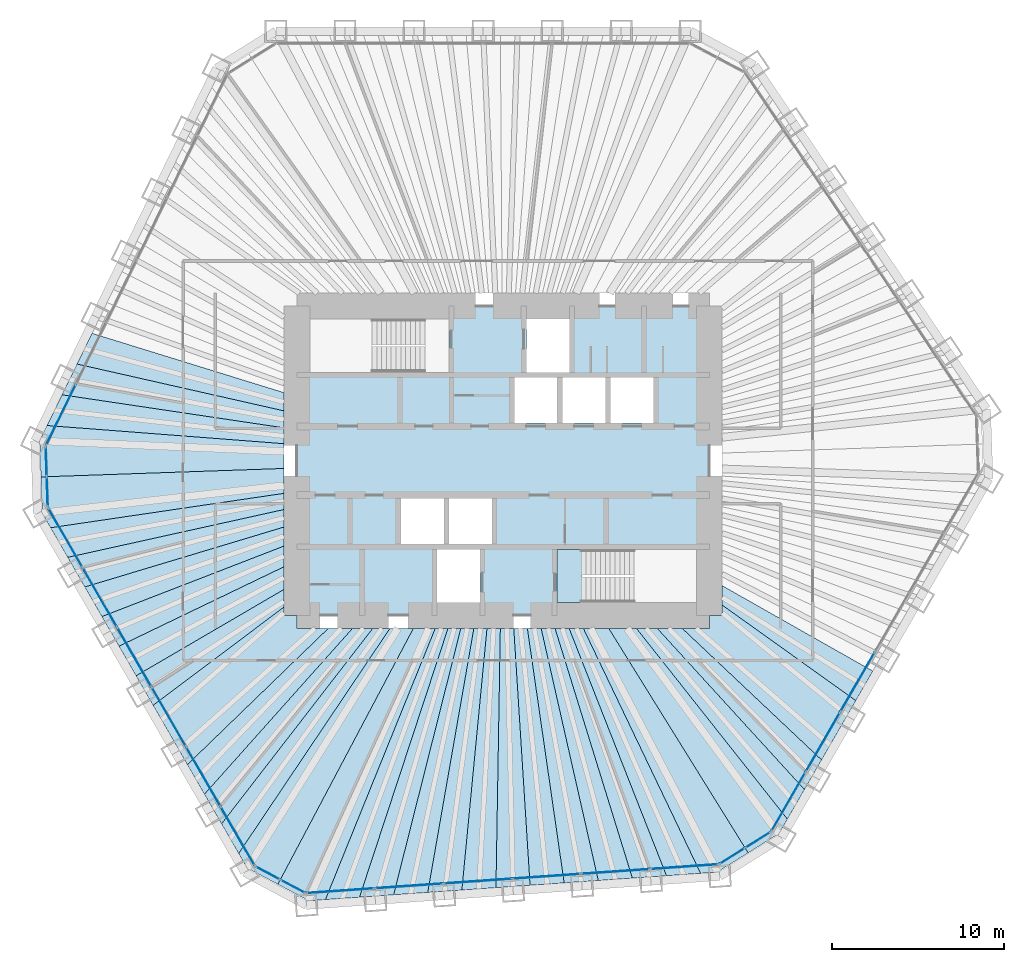
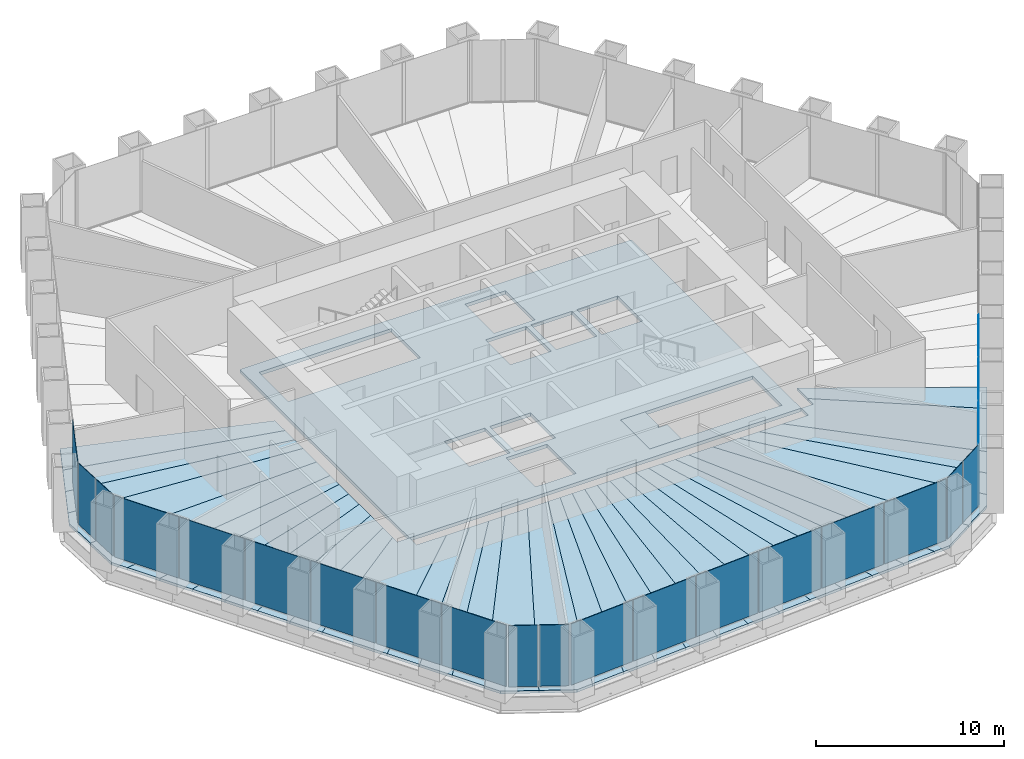
# One storey, part 8 of 13: 36 slabs, 22 plates, 8 elements without a shape of their own.
"""IFC4 building model written with IfcOpenShell, lengths in metres."""

from ifc_helpers import new_model, si_unit, direction, frame, origin, origin_2d, place, context, subcontext, project, spatial, polyline, rectangle, outline, extrude, material, layer, layer_set, type_object, element, aggregate, save


model = new_model("IFC4")

# Units and contexts
model_context = context("Model", 3, precision=1e-05, world=origin(), true_north=direction((0.0, 1.0)))
body_context = subcontext(model_context, "Body", "Model", "MODEL_VIEW")
ifc_project = project(units=[si_unit("LENGTHUNIT", "METRE"), si_unit("AREAUNIT", "SQUARE_METRE"), si_unit("VOLUMEUNIT", "CUBIC_METRE"), si_unit("PLANEANGLEUNIT", "RADIAN"), si_unit("MASSUNIT", "GRAM", prefix="KILO")], contexts=[model_context])

# Site, building, storey
site_placement = place(None, origin())
site = spatial("IfcSite", under=ifc_project, at=site_placement, CompositionType="ELEMENT")
building_placement = place(site_placement, origin())
building = spatial("IfcBuilding", under=site, at=building_placement, Name="Qingtian Harvest Tower", CompositionType="ELEMENT")
storey_placement = place(building_placement, frame((0.0, 0.0, 157.60009765625)))
storey = spatial("IfcBuildingStorey", under=building, at=storey_placement, Name="L33", CompositionType="ELEMENT", Elevation=157.60009765625)

# Slabs
ifc_material_1 = material(Name="Concrete fc' 35 MPa", Category="concrete")
ifc_layer_1 = layer(ifc_material_1, 0.169921875)
ifc_layer_set_1 = layer_set([ifc_layer_1], Name="Composite floor slab FS17 170")
slab_type_1 = type_object("IfcSlabType", Name="Composite floor slab FS17 170", PredefinedType="FLOOR", material=ifc_layer_set_1)
slab_1_placement = place(storey_placement, frame((0.0, 0.0, -0.170166015625)))
element("IfcSlab", 1, at=slab_1_placement, inside=storey, type_object=slab_type_1, Name="Floor slab L33 panel D01", PredefinedType="FLOOR", context=body_context, shape_type="SweptSolid", body=[
    extrude(outline(polyline([(-26.8935546875, -0.939208984375), (-12.75, -0.447998046875), (-12.75, -1.89599609375), (-26.333984375, -3.8984375), (-26.819580078125, -3.056884765625), (-26.8935546875, -0.939208984375)])), origin(), (0.0, 0.0, 1.0), 0.170166015625),
])
slab_2_placement = place(storey_placement, frame((0.0, 0.0, -0.170166015625)))
element("IfcSlab", 2, at=slab_2_placement, inside=storey, type_object=slab_type_1, Name="Floor slab L33 panel D02", PredefinedType="FLOOR", context=body_context, shape_type="SweptSolid", body=[
    extrude(outline(polyline([(-12.75, -2.838134765625), (-25.3388671875, -5.62158203125), (-26.333984375, -3.8984375), (-12.75, -1.89599609375), (-12.75, -2.838134765625)])), origin(), (0.0, 0.0, 1.0), 0.170166015625),
])
slab_3_placement = place(storey_placement, frame((0.0, 0.0, -0.170166015625)))
element("IfcSlab", 3, at=slab_3_placement, inside=storey, type_object=slab_type_1, Name="Floor slab L33 panel D03", PredefinedType="FLOOR", context=body_context, shape_type="SweptSolid", body=[
    extrude(outline(polyline([(-12.75, -3.857666015625), (-24.343994140625, -7.344970703125), (-25.3388671875, -5.62158203125), (-12.75, -2.838134765625), (-12.75, -3.857666015625)])), origin(), (0.0, 0.0, 1.0), 0.170166015625),
])
slab_4_placement = place(storey_placement, frame((0.0, 0.0, -0.170166015625)))
element("IfcSlab", 4, at=slab_4_placement, inside=storey, type_object=slab_type_1, Name="Floor slab L33 panel D04", PredefinedType="FLOOR", context=body_context, shape_type="SweptSolid", body=[
    extrude(outline(polyline([(-12.75, -4.9638671875), (-23.34912109375, -9.068115234375), (-24.343994140625, -7.344970703125), (-12.75, -3.857666015625), (-12.75, -4.9638671875)])), origin(), (0.0, 0.0, 1.0), 0.170166015625),
])
slab_5_placement = place(storey_placement, frame((0.0, 0.0, -0.170166015625)))
element("IfcSlab", 5, at=slab_5_placement, inside=storey, type_object=slab_type_1, Name="Floor slab L33 panel D05", PredefinedType="FLOOR", context=body_context, shape_type="SweptSolid", body=[
    extrude(outline(polyline([(-12.75, -6.1689453125), (-22.354248046875, -10.79150390625), (-23.34912109375, -9.068115234375), (-12.75, -4.9638671875), (-12.75, -6.1689453125)])), origin(), (0.0, 0.0, 1.0), 0.170166015625),
])
slab_6_placement = place(storey_placement, frame((0.0, 0.0, -0.170166015625)))
element("IfcSlab", 6, at=slab_6_placement, inside=storey, type_object=slab_type_1, Name="Floor slab L33 panel D06", PredefinedType="FLOOR", context=body_context, shape_type="SweptSolid", body=[
    extrude(outline(polyline([(-12.75, -7.486328125), (-21.359130859375, -12.5146484375), (-22.354248046875, -10.79150390625), (-12.75, -6.1689453125), (-12.75, -7.486328125)])), origin(), (0.0, 0.0, 1.0), 0.170166015625),
])
slab_7_placement = place(storey_placement, frame((0.0, 0.0, -0.170166015625)))
element("IfcSlab", 7, at=slab_7_placement, inside=storey, type_object=slab_type_1, Name="Floor slab L33 panel D07", PredefinedType="FLOOR", context=body_context, shape_type="SweptSolid", body=[
    extrude(outline(polyline([(-12.75, -8.512451171875), (-20.36865234375, -14.23046875), (-21.359130859375, -12.5146484375), (-12.75, -7.486328125), (-12.75, -8.512451171875)])), origin(), (0.0, 0.0, 1.0), 0.170166015625),
])
slab_8_placement = place(storey_placement, frame((0.0, 0.0, -0.170166015625)))
element("IfcSlab", 8, at=slab_8_placement, inside=storey, type_object=slab_type_1, Name="Floor slab L33 panel D09", PredefinedType="FLOOR", context=body_context, shape_type="SweptSolid", body=[
    extrude(outline(polyline([(-18.375, -17.683837890625), (-20.36865234375, -14.23046875), (-12.75, -8.512451171875), (-12.75, -9.0), (-12.0, -9.0), (-12.0, -9.75), (-10.168212890625, -9.75), (-18.375, -17.683837890625)])), origin(), (0.0, 0.0, 1.0), 0.170166015625),
])
slab_9_placement = place(storey_placement, frame((0.0, 0.0, -0.170166015625)))
element("IfcSlab", 9, at=slab_9_placement, inside=storey, type_object=slab_type_1, Name="Floor slab L33 panel D10", PredefinedType="FLOOR", context=body_context, shape_type="SweptSolid", body=[
    extrude(outline(polyline([(-8.759521484375, -9.75), (-17.3798828125, -19.4072265625), (-18.375, -17.683837890625), (-10.168212890625, -9.75), (-8.759521484375, -9.75)])), origin(), (0.0, 0.0, 1.0), 0.170166015625),
])
slab_10_placement = place(storey_placement, frame((0.0, 0.0, -0.170166015625)))
element("IfcSlab", 10, at=slab_10_placement, inside=storey, type_object=slab_type_1, Name="Floor slab L33 panel D11", PredefinedType="FLOOR", context=body_context, shape_type="SweptSolid", body=[
    extrude(outline(polyline([(-7.58203125, -9.75), (-16.385009765625, -21.13037109375), (-17.3798828125, -19.4072265625), (-8.759521484375, -9.75), (-7.58203125, -9.75)])), origin(), (0.0, 0.0, 1.0), 0.170166015625),
])
slab_11_placement = place(storey_placement, frame((0.0, 0.0, -0.170166015625)))
element("IfcSlab", 11, at=slab_11_placement, inside=storey, type_object=slab_type_1, Name="Floor slab L33 panel D12", PredefinedType="FLOOR", context=body_context, shape_type="SweptSolid", body=[
    extrude(outline(polyline([(-6.5830078125, -9.75), (-15.389892578125, -22.853759765625), (-16.385009765625, -21.13037109375), (-7.58203125, -9.75), (-6.5830078125, -9.75)])), origin(), (0.0, 0.0, 1.0), 0.170166015625),
])
slab_12_placement = place(storey_placement, frame((0.0, 0.0, -0.170166015625)))
element("IfcSlab", 12, at=slab_12_placement, inside=storey, type_object=slab_type_1, Name="Floor slab L33 panel D13", PredefinedType="FLOOR", context=body_context, shape_type="SweptSolid", body=[
    extrude(outline(polyline([(-6.5830078125, -9.75), (-5.21875, -9.75), (-13.107421875, -24.650634765625), (-14.904052734375, -23.6953125), (-15.389892578125, -22.853759765625), (-6.5830078125, -9.75)])), origin(), (0.0, 0.0, 1.0), 0.170166015625),
])
slab_13_placement = place(storey_placement, frame((0.0, 0.0, -0.170166015625)))
element("IfcSlab", 13, at=slab_13_placement, inside=storey, type_object=slab_type_1, Name="Floor slab L33 panel D14", PredefinedType="FLOOR", context=body_context, shape_type="SweptSolid", body=[
    extrude(outline(polyline([(-5.21875, -9.75), (-3.947021484375, -9.75), (-10.3408203125, -25.53857421875), (-11.31005859375, -25.606201171875), (-13.107421875, -24.650634765625), (-5.21875, -9.75)])), origin(), (0.0, 0.0, 1.0), 0.170166015625),
])
slab_14_placement = place(storey_placement, frame((0.0, 0.0, -0.170166015625)))
element("IfcSlab", 14, at=slab_14_placement, inside=storey, type_object=slab_type_1, Name="Floor slab L33 panel D15", PredefinedType="FLOOR", context=body_context, shape_type="SweptSolid", body=[
    extrude(outline(polyline([(-3.20654296875, -9.75), (-8.35595703125, -25.399658203125), (-10.3408203125, -25.53857421875), (-3.947021484375, -9.75), (-3.20654296875, -9.75)])), origin(), (0.0, 0.0, 1.0), 0.170166015625),
])
slab_15_placement = place(storey_placement, frame((0.0, 0.0, -0.170166015625)))
element("IfcSlab", 15, at=slab_15_placement, inside=storey, type_object=slab_type_1, Name="Floor slab L33 panel D16", PredefinedType="FLOOR", context=body_context, shape_type="SweptSolid", body=[
    extrude(outline(polyline([(-2.4580078125, -9.75), (-6.370849609375, -25.260986328125), (-8.35595703125, -25.399658203125), (-3.20654296875, -9.75), (-2.4580078125, -9.75)])), origin(), (0.0, 0.0, 1.0), 0.170166015625),
])
slab_16_placement = place(storey_placement, frame((0.0, 0.0, -0.170166015625)))
element("IfcSlab", 16, at=slab_16_placement, inside=storey, type_object=slab_type_1, Name="Floor slab L33 panel D17", PredefinedType="FLOOR", context=body_context, shape_type="SweptSolid", body=[
    extrude(outline(polyline([(-1.701171875, -9.75), (-4.385986328125, -25.1220703125), (-6.370849609375, -25.260986328125), (-2.4580078125, -9.75), (-1.701171875, -9.75)])), origin(), (0.0, 0.0, 1.0), 0.170166015625),
])
slab_17_placement = place(storey_placement, frame((0.0, 0.0, -0.170166015625)))
element("IfcSlab", 17, at=slab_17_placement, inside=storey, type_object=slab_type_1, Name="Floor slab L33 panel D18", PredefinedType="FLOOR", context=body_context, shape_type="SweptSolid", body=[
    extrude(outline(polyline([(-0.93603515625, -9.75), (-2.40087890625, -24.9833984375), (-4.385986328125, -25.1220703125), (-1.701171875, -9.75), (-0.93603515625, -9.75)])), origin(), (0.0, 0.0, 1.0), 0.170166015625),
])
slab_18_placement = place(storey_placement, frame((0.0, 0.0, -0.170166015625)))
element("IfcSlab", 18, at=slab_18_placement, inside=storey, type_object=slab_type_1, Name="Floor slab L33 panel D19", PredefinedType="FLOOR", context=body_context, shape_type="SweptSolid", body=[
    extrude(outline(polyline([(-0.162109375, -9.75), (-0.416015625, -24.844482421875), (-2.40087890625, -24.9833984375), (-0.93603515625, -9.75), (-0.162109375, -9.75)])), origin(), (0.0, 0.0, 1.0), 0.170166015625),
])
slab_19_placement = place(storey_placement, frame((0.0, 0.0, -0.170166015625)))
element("IfcSlab", 19, at=slab_19_placement, inside=storey, type_object=slab_type_1, Name="Floor slab L33 panel D20", PredefinedType="FLOOR", context=body_context, shape_type="SweptSolid", body=[
    extrude(outline(polyline([(0.620361328125, -9.75), (1.569091796875, -24.705810546875), (-0.416015625, -24.844482421875), (-0.162109375, -9.75), (0.620361328125, -9.75)])), origin(), (0.0, 0.0, 1.0), 0.170166015625),
])
slab_20_placement = place(storey_placement, frame((0.0, 0.0, -0.170166015625)))
element("IfcSlab", 20, at=slab_20_placement, inside=storey, type_object=slab_type_1, Name="Floor slab L33 panel D21", PredefinedType="FLOOR", context=body_context, shape_type="SweptSolid", body=[
    extrude(outline(polyline([(1.41162109375, -9.75), (3.553955078125, -24.56689453125), (1.569091796875, -24.705810546875), (0.620361328125, -9.75), (1.41162109375, -9.75)])), origin(), (0.0, 0.0, 1.0), 0.170166015625),
])
slab_21_placement = place(storey_placement, frame((0.0, 0.0, -0.170166015625)))
element("IfcSlab", 21, at=slab_21_placement, inside=storey, type_object=slab_type_1, Name="Floor slab L33 panel D22", PredefinedType="FLOOR", context=body_context, shape_type="SweptSolid", body=[
    extrude(outline(polyline([(2.2119140625, -9.75), (5.5390625, -24.42822265625), (3.553955078125, -24.56689453125), (1.41162109375, -9.75), (2.2119140625, -9.75)])), origin(), (0.0, 0.0, 1.0), 0.170166015625),
])
slab_22_placement = place(storey_placement, frame((0.0, 0.0, -0.170166015625)))
element("IfcSlab", 22, at=slab_22_placement, inside=storey, type_object=slab_type_1, Name="Floor slab L33 panel D23", PredefinedType="FLOOR", context=body_context, shape_type="SweptSolid", body=[
    extrude(outline(polyline([(3.021484375, -9.75), (7.524169921875, -24.289306640625), (5.5390625, -24.42822265625), (2.2119140625, -9.75), (3.021484375, -9.75)])), origin(), (0.0, 0.0, 1.0), 0.170166015625),
])
slab_23_placement = place(storey_placement, frame((0.0, 0.0, -0.170166015625)))
element("IfcSlab", 23, at=slab_23_placement, inside=storey, type_object=slab_type_1, Name="Floor slab L33 panel D24", PredefinedType="FLOOR", context=body_context, shape_type="SweptSolid", body=[
    extrude(outline(polyline([(3.840087890625, -9.75), (9.509033203125, -24.150390625), (7.524169921875, -24.289306640625), (3.021484375, -9.75), (3.840087890625, -9.75)])), origin(), (0.0, 0.0, 1.0), 0.170166015625),
])
slab_24_placement = place(storey_placement, frame((0.0, 0.0, -0.170166015625)))
element("IfcSlab", 24, at=slab_24_placement, inside=storey, type_object=slab_type_1, Name="Floor slab L33 panel D25", PredefinedType="FLOOR", context=body_context, shape_type="SweptSolid", body=[
    extrude(outline(polyline([(4.66845703125, -9.75), (11.494140625, -24.01171875), (9.509033203125, -24.150390625), (3.840087890625, -9.75), (4.66845703125, -9.75)])), origin(), (0.0, 0.0, 1.0), 0.170166015625),
])
slab_25_placement = place(storey_placement, frame((0.0, 0.0, -0.170166015625)))
element("IfcSlab", 25, at=slab_25_placement, inside=storey, type_object=slab_type_1, Name="Floor slab L33 panel D26", PredefinedType="FLOOR", context=body_context, shape_type="SweptSolid", body=[
    extrude(outline(polyline([(4.66845703125, -9.75), (6.14404296875, -9.75), (14.2607421875, -22.820556640625), (12.463134765625, -23.94384765625), (11.494140625, -24.01171875), (4.66845703125, -9.75)])), origin(), (0.0, 0.0, 1.0), 0.170166015625),
])
slab_26_placement = place(storey_placement, frame((0.0, 0.0, -0.170166015625)))
element("IfcSlab", 26, at=slab_26_placement, inside=storey, type_object=slab_type_1, Name="Floor slab L33 panel D27", PredefinedType="FLOOR", context=body_context, shape_type="SweptSolid", body=[
    extrude(outline(polyline([(6.14404296875, -9.75), (7.756103515625, -9.75), (16.543212890625, -20.8564453125), (16.05712890625, -21.697998046875), (14.2607421875, -22.820556640625), (6.14404296875, -9.75)])), origin(), (0.0, 0.0, 1.0), 0.170166015625),
])
slab_27_placement = place(storey_placement, frame((0.0, 0.0, -0.170166015625)))
element("IfcSlab", 27, at=slab_27_placement, inside=storey, type_object=slab_type_1, Name="Floor slab L33 panel D28", PredefinedType="FLOOR", context=body_context, shape_type="SweptSolid", body=[
    extrude(outline(polyline([(8.966552734375, -9.75), (17.5380859375, -19.133056640625), (16.543212890625, -20.8564453125), (7.756103515625, -9.75), (8.966552734375, -9.75)])), origin(), (0.0, 0.0, 1.0), 0.170166015625),
])
slab_28_placement = place(storey_placement, frame((0.0, 0.0, -0.170166015625)))
element("IfcSlab", 28, at=slab_28_placement, inside=storey, type_object=slab_type_1, Name="Floor slab L33 panel D29", PredefinedType="FLOOR", context=body_context, shape_type="SweptSolid", body=[
    extrude(outline(polyline([(10.41796875, -9.75), (18.532958984375, -17.40966796875), (17.5380859375, -19.133056640625), (8.966552734375, -9.75), (10.41796875, -9.75)])), origin(), (0.0, 0.0, 1.0), 0.170166015625),
])
slab_29_placement = place(storey_placement, frame((0.0, 0.0, -0.170166015625)))
element("IfcSlab", 29, at=slab_29_placement, inside=storey, type_object=slab_type_1, Name="Floor slab L33 panel D31", PredefinedType="FLOOR", context=body_context, shape_type="SweptSolid", body=[
    extrude(outline(polyline([(12.75, -8.398681640625), (20.525390625, -13.958740234375), (18.532958984375, -17.40966796875), (10.41796875, -9.75), (12.0, -9.75), (12.0, -9.0), (12.75, -9.0), (12.75, -8.398681640625)])), origin(), (0.0, 0.0, 1.0), 0.170166015625),
])
slab_30_placement = place(storey_placement, frame((0.0, 0.0, -0.170166015625)))
element("IfcSlab", 30, at=slab_30_placement, inside=storey, type_object=slab_type_1, Name="Floor slab L33 panel D32", PredefinedType="FLOOR", context=body_context, shape_type="SweptSolid", body=[
    extrude(outline(polyline([(12.75, -7.268798828125), (21.517333984375, -12.24072265625), (20.525390625, -13.958740234375), (12.75, -8.398681640625), (12.75, -7.268798828125)])), origin(), (0.0, 0.0, 1.0), 0.170166015625),
])
slab_31_placement = place(storey_placement, frame((0.0, 0.0, -0.170166015625)))
element("IfcSlab", 31, at=slab_31_placement, inside=storey, type_object=slab_type_1, Name="Floor slab L33 panel D75", PredefinedType="FLOOR", context=body_context, shape_type="SweptSolid", body=[
    extrude(outline(polyline([(-12.75, 2.903076171875), (-24.797119140625, 5.62890625), (-23.9248046875, 7.417236328125), (-12.75, 3.962646484375), (-12.75, 2.903076171875)])), origin(), (0.0, 0.0, 1.0), 0.170166015625),
])
slab_32_placement = place(storey_placement, frame((0.0, 0.0, -0.170166015625)))
element("IfcSlab", 32, at=slab_32_placement, inside=storey, type_object=slab_type_1, Name="Floor slab L33 panel D76", PredefinedType="FLOOR", context=body_context, shape_type="SweptSolid", body=[
    extrude(outline(polyline([(-12.75, 1.91552734375), (-25.66943359375, 3.84033203125), (-24.797119140625, 5.62890625), (-12.75, 2.903076171875), (-12.75, 1.91552734375)])), origin(), (0.0, 0.0, 1.0), 0.170166015625),
])
slab_33_placement = place(storey_placement, frame((0.0, 0.0, -0.170166015625)))
element("IfcSlab", 33, at=slab_33_placement, inside=storey, type_object=slab_type_1, Name="Floor slab L33 panel D77", PredefinedType="FLOOR", context=body_context, shape_type="SweptSolid", body=[
    extrude(outline(polyline([(-12.75, 0.992919921875), (-26.541748046875, 2.0517578125), (-25.66943359375, 3.84033203125), (-12.75, 1.91552734375), (-12.75, 0.992919921875)])), origin(), (0.0, 0.0, 1.0), 0.170166015625),
])
slab_34_placement = place(storey_placement, frame((0.0, 0.0, -0.170166015625)))
element("IfcSlab", 34, at=slab_34_placement, inside=storey, type_object=slab_type_1, Name="Floor slab L33 panel D78", PredefinedType="FLOOR", context=body_context, shape_type="SweptSolid", body=[
    extrude(outline(polyline([(-12.75, 0.992919921875), (-12.75, -0.447998046875), (-26.8935546875, -0.939208984375), (-26.967529296875, 1.1787109375), (-26.541748046875, 2.0517578125), (-12.75, 0.992919921875)])), origin(), (0.0, 0.0, 1.0), 0.170166015625),
])
ifc_material_2 = material(Name="Concrete fc' 35 MPa", Category="concrete")
ifc_layer_2 = layer(ifc_material_2, 0.219970703125)
ifc_layer_set_2 = layer_set([ifc_layer_2], Name="Core floor slab CS22 220")
slab_type_2 = type_object("IfcSlabType", Name="Core floor slab CS22 220", PredefinedType="FLOOR", material=ifc_layer_set_2)
slab_35_placement = place(storey_placement, frame((0.0, 0.0, -0.22021484375)))
element("IfcSlab", 35, at=slab_35_placement, inside=storey, type_object=slab_type_2, Name="Core floor slab L33", PredefinedType="FLOOR", context=body_context, shape_type="SweptSolid", body=[
    extrude(outline(polyline([(-12.0, -9.0), (12.0, -9.0), (12.0, 9.0), (-12.0, 9.0), (-12.0, -9.0)]), holes=[polyline([(-11.25, 5.14990234375), (-3.14990234375, 5.14990234375), (-3.14990234375, 8.25), (-11.25, 8.25), (-11.25, 5.14990234375)]), polyline([(3.14990234375, -8.25), (11.25, -8.25), (11.25, -5.14990234375), (3.14990234375, -5.14990234375), (3.14990234375, -8.25)]), polyline([(1.35009765625, 5.14990234375), (3.85009765625, 5.14990234375), (3.85009765625, 8.25), (1.35009765625, 8.25), (1.35009765625, 5.14990234375)]), polyline([(-3.85009765625, -8.25), (-1.35009765625, -8.25), (-1.35009765625, -5.14990234375), (-3.85009765625, -5.14990234375), (-3.85009765625, -8.25)]), polyline([(0.64990234375, 2.199951171875), (3.14990234375, 2.199951171875), (3.14990234375, 4.85009765625), (0.64990234375, 4.85009765625), (0.64990234375, 2.199951171875)]), polyline([(3.449951171875, 2.199951171875), (5.949951171875, 2.199951171875), (5.949951171875, 4.85009765625), (3.449951171875, 4.85009765625), (3.449951171875, 2.199951171875)]), polyline([(6.25, 2.199951171875), (8.75, 2.199951171875), (8.75, 4.85009765625), (6.25, 4.85009765625), (6.25, 2.199951171875)]), polyline([(-5.949951171875, -4.85009765625), (-3.449951171875, -4.85009765625), (-3.449951171875, -2.199951171875), (-5.949951171875, -2.199951171875), (-5.949951171875, -4.85009765625)]), polyline([(-3.14990234375, -4.85009765625), (-0.64990234375, -4.85009765625), (-0.64990234375, -2.199951171875), (-3.14990234375, -2.199951171875), (-3.14990234375, -4.85009765625)])]), origin(), (0.0, 0.0, 1.0), 0.22021484375),
])

# Curtain wall, plates
ifc_material_3 = material(Name="Bronze-anodised aluminium curtain wall", Category="aluminium")
curtain_wall_type = type_object("IfcCurtainWallType", Name="Curtain wall CW4 office", PredefinedType="USERDEFINED", material=ifc_material_3)
curtain_wall_1_placement = place(storey_placement, origin())
curtain_wall_1 = element("IfcCurtainWall", 36, at=curtain_wall_1_placement, inside=storey, type_object=curtain_wall_type, Name="Curtain wall CW4 L33 SE0-5", ObjectType="RECESSED CURTAIN WALL", PredefinedType="USERDEFINED")
ifc_material_4 = material(Name="Bronze-tinted laminated insulating glass", Category="glass")
ifc_layer_3 = layer(ifc_material_4, 0.030029296875)
ifc_layer_set_3 = layer_set([ifc_layer_3], Name="Glazed panel CWP tinted IGU")
plate_type = type_object("IfcPlateType", Name="Glazed panel CWP tinted IGU", PredefinedType="CURTAIN_PANEL", material=ifc_layer_set_3)
plate_1_placement = place(storey_placement, frame((20.621826171875, -12.8818359375, 0.06494140625), z_axis=(0.0, 0.0, 1.0), x_axis=(-0.5, -0.866025403784, 0.0)))
plate_1 = element("IfcPlate", 37, at=plate_1_placement, type_object=plate_type, Name="CW4 panel 4.1", PredefinedType="CURTAIN_PANEL", context=body_context, shape_type="SweptSolid", body=[
    extrude(rectangle(XDim=3.9541015625, YDim=0.030029296875, at=origin_2d()), origin(), (0.0, 0.0, 1.0), 3.965087890625),
])
plate_2_placement = place(storey_placement, frame((18.6123046875, -16.362548828125, 0.06494140625), z_axis=(0.0, 0.0, 1.0), x_axis=(-0.5, -0.866025403784, 0.0)))
plate_2 = element("IfcPlate", 38, at=plate_2_placement, type_object=plate_type, Name="CW4 panel 5.1", PredefinedType="CURTAIN_PANEL", context=body_context, shape_type="SweptSolid", body=[
    extrude(rectangle(XDim=3.9541015625, YDim=0.030029296875, at=origin_2d()), origin(), (0.0, 0.0, 1.0), 3.965087890625),
])
plate_3_placement = place(storey_placement, frame((16.61083984375, -19.8291015625, 0.06494140625), z_axis=(0.0, 0.0, 1.0), x_axis=(-0.5, -0.866025403784, 0.0)))
plate_3 = element("IfcPlate", 39, at=plate_3_placement, type_object=plate_type, Name="CW4 panel 6.1", PredefinedType="CURTAIN_PANEL", context=body_context, shape_type="SweptSolid", body=[
    extrude(rectangle(XDim=3.921630859375, YDim=0.030029296875, at=origin_2d()), origin(), (0.0, 0.0, 1.0), 3.965087890625),
])
aggregate(curtain_wall_1, [plate_1, plate_2, plate_3])

curtain_wall_2_placement = place(storey_placement, origin())
curtain_wall_2 = element("IfcCurtainWall", 40, at=curtain_wall_2_placement, inside=storey, type_object=curtain_wall_type, Name="Curtain wall CW4 L33 SEC", ObjectType="RECESSED CURTAIN WALL", PredefinedType="USERDEFINED")
plate_4_placement = place(storey_placement, frame((14.8251953125, -22.06640625, 0.06494140625), z_axis=(0.0, 0.0, 1.0), x_axis=(-0.848048096156, -0.529919264233, 0.0)))
plate_4 = element("IfcPlate", 41, at=plate_4_placement, type_object=plate_type, Name="CW4 panel 1.1", PredefinedType="CURTAIN_PANEL", context=body_context, shape_type="SweptSolid", body=[
    extrude(rectangle(XDim=1.69287109375, YDim=0.030029296875, at=origin_2d()), origin(), (0.0, 0.0, 1.0), 3.965087890625),
])
plate_5_placement = place(storey_placement, frame((13.334228515625, -22.998046875, 0.06494140625), z_axis=(0.0, 0.0, 1.0), x_axis=(-0.848048096156, -0.529919264233, 0.0)))
plate_5 = element("IfcPlate", 42, at=plate_5_placement, type_object=plate_type, Name="CW4 panel 2.1", PredefinedType="CURTAIN_PANEL", context=body_context, shape_type="SweptSolid", body=[
    extrude(rectangle(XDim=1.69287109375, YDim=0.030029296875, at=origin_2d()), origin(), (0.0, 0.0, 1.0), 3.965087890625),
])
aggregate(curtain_wall_2, [plate_4, plate_5])

curtain_wall_3_placement = place(storey_placement, origin())
curtain_wall_3 = element("IfcCurtainWall", 43, at=curtain_wall_3_placement, inside=storey, type_object=curtain_wall_type, Name="Curtain wall CW4 L33 S0-5", ObjectType="RECESSED CURTAIN WALL", PredefinedType="USERDEFINED")
plate_6_placement = place(storey_placement, frame((10.54052734375, -23.622314453125, 0.06494140625), z_axis=(0.0, 0.0, 1.0), x_axis=(-0.99756405026, -0.069756473744, 0.0)))
plate_6 = element("IfcPlate", 44, at=plate_6_placement, type_object=plate_type, Name="CW4 panel 1.1", PredefinedType="CURTAIN_PANEL", context=body_context, shape_type="SweptSolid", body=[
    extrude(rectangle(XDim=3.921630859375, YDim=0.030029296875, at=origin_2d()), origin(), (0.0, 0.0, 1.0), 3.965087890625),
])
plate_7_placement = place(storey_placement, frame((6.54736328125, -23.901611328125, 0.06494140625), z_axis=(0.0, 0.0, 1.0), x_axis=(-0.99756405026, -0.069756473744, 0.0)))
plate_7 = element("IfcPlate", 45, at=plate_7_placement, type_object=plate_type, Name="CW4 panel 2.1", PredefinedType="CURTAIN_PANEL", context=body_context, shape_type="SweptSolid", body=[
    extrude(rectangle(XDim=3.9541015625, YDim=0.030029296875, at=origin_2d()), origin(), (0.0, 0.0, 1.0), 3.965087890625),
])
plate_8_placement = place(storey_placement, frame((2.5380859375, -24.181884765625, 0.06494140625), z_axis=(0.0, 0.0, 1.0), x_axis=(-0.99756405026, -0.069756473744, 0.0)))
plate_8 = element("IfcPlate", 46, at=plate_8_placement, type_object=plate_type, Name="CW4 panel 3.1", PredefinedType="CURTAIN_PANEL", context=body_context, shape_type="SweptSolid", body=[
    extrude(rectangle(XDim=3.9541015625, YDim=0.030029296875, at=origin_2d()), origin(), (0.0, 0.0, 1.0), 3.965087890625),
])
plate_9_placement = place(storey_placement, frame((-1.47119140625, -24.462158203125, 0.06494140625), z_axis=(0.0, 0.0, 1.0), x_axis=(-0.99756405026, -0.069756473744, 0.0)))
plate_9 = element("IfcPlate", 47, at=plate_9_placement, type_object=plate_type, Name="CW4 panel 4.1", PredefinedType="CURTAIN_PANEL", context=body_context, shape_type="SweptSolid", body=[
    extrude(rectangle(XDim=3.9541015625, YDim=0.030029296875, at=origin_2d()), origin(), (0.0, 0.0, 1.0), 3.965087890625),
])
plate_10_placement = place(storey_placement, frame((-5.48046875, -24.74267578125, 0.06494140625), z_axis=(0.0, 0.0, 1.0), x_axis=(-0.99756405026, -0.069756473744, 0.0)))
plate_10 = element("IfcPlate", 48, at=plate_10_placement, type_object=plate_type, Name="CW4 panel 5.1", PredefinedType="CURTAIN_PANEL", context=body_context, shape_type="SweptSolid", body=[
    extrude(rectangle(XDim=3.9541015625, YDim=0.030029296875, at=origin_2d()), origin(), (0.0, 0.0, 1.0), 3.965087890625),
])
plate_11_placement = place(storey_placement, frame((-9.4736328125, -25.021728515625, 0.06494140625), z_axis=(0.0, 0.0, 1.0), x_axis=(-0.99756405026, -0.069756473744, 0.0)))
plate_11 = element("IfcPlate", 49, at=plate_11_placement, type_object=plate_type, Name="CW4 panel 6.1", PredefinedType="CURTAIN_PANEL", context=body_context, shape_type="SweptSolid", body=[
    extrude(rectangle(XDim=3.921630859375, YDim=0.030029296875, at=origin_2d()), origin(), (0.0, 0.0, 1.0), 3.965087890625),
])
aggregate(curtain_wall_3, [plate_6, plate_7, plate_8, plate_9, plate_10, plate_11])

curtain_wall_4_placement = place(storey_placement, origin())
curtain_wall_4 = element("IfcCurtainWall", 50, at=curtain_wall_4_placement, inside=storey, type_object=curtain_wall_type, Name="Curtain wall CW4 L33 SC", ObjectType="RECESSED CURTAIN WALL", PredefinedType="USERDEFINED")
plate_12_placement = place(storey_placement, frame((-12.24365234375, -24.764892578125, 0.06494140625), z_axis=(0.0, 0.0, 1.0), x_axis=(-0.882947592859, 0.469471562786, 0.0)))
plate_12 = element("IfcPlate", 51, at=plate_12_placement, type_object=plate_type, Name="CW4 panel 1.1", PredefinedType="CURTAIN_PANEL", context=body_context, shape_type="SweptSolid", body=[
    extrude(rectangle(XDim=1.56689453125, YDim=0.030029296875, at=origin_2d()), origin(), (0.0, 0.0, 1.0), 3.965087890625),
])
plate_13_placement = place(storey_placement, frame((-13.684326171875, -23.998779296875, 0.06494140625), z_axis=(0.0, 0.0, 1.0), x_axis=(-0.882947592859, 0.469471562786, 0.0)))
plate_13 = element("IfcPlate", 52, at=plate_13_placement, type_object=plate_type, Name="CW4 panel 2.1", PredefinedType="CURTAIN_PANEL", context=body_context, shape_type="SweptSolid", body=[
    extrude(rectangle(XDim=1.56689453125, YDim=0.030029296875, at=origin_2d()), origin(), (0.0, 0.0, 1.0), 3.965087890625),
])
aggregate(curtain_wall_4, [plate_12, plate_13])

curtain_wall_5_placement = place(storey_placement, origin())
curtain_wall_5 = element("IfcCurtainWall", 53, at=curtain_wall_5_placement, inside=storey, type_object=curtain_wall_type, Name="Curtain wall CW4 L33 SW0-5", ObjectType="RECESSED CURTAIN WALL", PredefinedType="USERDEFINED")
plate_14_placement = place(storey_placement, frame((-15.446533203125, -21.845947265625, 0.06494140625), z_axis=(0.0, 0.0, 1.0), x_axis=(-0.5, 0.866025403784, 0.0)))
plate_14 = element("IfcPlate", 54, at=plate_14_placement, type_object=plate_type, Name="CW4 panel 1.1", PredefinedType="CURTAIN_PANEL", context=body_context, shape_type="SweptSolid", body=[
    extrude(rectangle(XDim=3.921630859375, YDim=0.030029296875, at=origin_2d()), origin(), (0.0, 0.0, 1.0), 3.965087890625),
])
plate_15_placement = place(storey_placement, frame((-17.44775390625, -18.37939453125, 0.06494140625), z_axis=(0.0, 0.0, 1.0), x_axis=(-0.5, 0.866025403784, 0.0)))
plate_15 = element("IfcPlate", 55, at=plate_15_placement, type_object=plate_type, Name="CW4 panel 2.1", PredefinedType="CURTAIN_PANEL", context=body_context, shape_type="SweptSolid", body=[
    extrude(rectangle(XDim=3.9541015625, YDim=0.030029296875, at=origin_2d()), origin(), (0.0, 0.0, 1.0), 3.965087890625),
])
plate_16_placement = place(storey_placement, frame((-19.45751953125, -14.898681640625, 0.06494140625), z_axis=(0.0, 0.0, 1.0), x_axis=(-0.5, 0.866025403784, 0.0)))
plate_16 = element("IfcPlate", 56, at=plate_16_placement, type_object=plate_type, Name="CW4 panel 3.1", PredefinedType="CURTAIN_PANEL", context=body_context, shape_type="SweptSolid", body=[
    extrude(rectangle(XDim=3.9541015625, YDim=0.030029296875, at=origin_2d()), origin(), (0.0, 0.0, 1.0), 3.965087890625),
])
plate_17_placement = place(storey_placement, frame((-21.467041015625, -11.418212890625, 0.06494140625), z_axis=(0.0, 0.0, 1.0), x_axis=(-0.5, 0.866025403784, 0.0)))
plate_17 = element("IfcPlate", 57, at=plate_17_placement, type_object=plate_type, Name="CW4 panel 4.1", PredefinedType="CURTAIN_PANEL", context=body_context, shape_type="SweptSolid", body=[
    extrude(rectangle(XDim=3.9541015625, YDim=0.030029296875, at=origin_2d()), origin(), (0.0, 0.0, 1.0), 3.965087890625),
])
plate_18_placement = place(storey_placement, frame((-23.4765625, -7.9375, 0.06494140625), z_axis=(0.0, 0.0, 1.0), x_axis=(-0.5, 0.866025403784, 0.0)))
plate_18 = element("IfcPlate", 58, at=plate_18_placement, type_object=plate_type, Name="CW4 panel 5.1", PredefinedType="CURTAIN_PANEL", context=body_context, shape_type="SweptSolid", body=[
    extrude(rectangle(XDim=3.9541015625, YDim=0.030029296875, at=origin_2d()), origin(), (0.0, 0.0, 1.0), 3.965087890625),
])
plate_19_placement = place(storey_placement, frame((-25.477783203125, -4.470947265625, 0.06494140625), z_axis=(0.0, 0.0, 1.0), x_axis=(-0.5, 0.866025403784, 0.0)))
plate_19 = element("IfcPlate", 59, at=plate_19_placement, type_object=plate_type, Name="CW4 panel 6.1", PredefinedType="CURTAIN_PANEL", context=body_context, shape_type="SweptSolid", body=[
    extrude(rectangle(XDim=3.921630859375, YDim=0.030029296875, at=origin_2d()), origin(), (0.0, 0.0, 1.0), 3.965087890625),
])
aggregate(curtain_wall_5, [plate_14, plate_15, plate_16, plate_17, plate_18, plate_19])

curtain_wall_6_placement = place(storey_placement, origin())
curtain_wall_6 = element("IfcCurtainWall", 60, at=curtain_wall_6_placement, inside=storey, type_object=curtain_wall_type, Name="Curtain wall CW4 L33 SWC", ObjectType="RECESSED CURTAIN WALL", PredefinedType="USERDEFINED")
plate_20_placement = place(storey_placement, frame((-26.522705078125, -1.8056640625, 0.06494140625), z_axis=(0.0, 0.0, 1.0), x_axis=(-0.034899496703, 0.999390827019, 0.0)))
plate_20 = element("IfcPlate", 61, at=plate_20_placement, type_object=plate_type, Name="CW4 panel 1.1", PredefinedType="CURTAIN_PANEL", context=body_context, shape_type="SweptSolid", body=[
    extrude(rectangle(XDim=1.69287109375, YDim=0.030029296875, at=origin_2d()), origin(), (0.0, 0.0, 1.0), 3.965087890625),
])
plate_21_placement = place(storey_placement, frame((-26.583984375, -0.048828125, 0.06494140625), z_axis=(0.0, 0.0, 1.0), x_axis=(-0.034899496703, 0.999390827019, 0.0)))
plate_21 = element("IfcPlate", 62, at=plate_21_placement, type_object=plate_type, Name="CW4 panel 2.1", PredefinedType="CURTAIN_PANEL", context=body_context, shape_type="SweptSolid", body=[
    extrude(rectangle(XDim=1.69287109375, YDim=0.030029296875, at=origin_2d()), origin(), (0.0, 0.0, 1.0), 3.965087890625),
])
aggregate(curtain_wall_6, [plate_20, plate_21])

# Curtain wall, plate
curtain_wall_7_placement = place(storey_placement, origin())
curtain_wall_7 = element("IfcCurtainWall", 63, at=curtain_wall_7_placement, inside=storey, type_object=curtain_wall_type, Name="Curtain wall CW4 L33 NW0-5", ObjectType="RECESSED CURTAIN WALL", PredefinedType="USERDEFINED")
plate_22_placement = place(storey_placement, frame((-25.727783203125, 2.682861328125, 0.06494140625), z_axis=(0.0, 0.0, 1.0), x_axis=(0.438371146789, 0.898794046299, 0.0)))
plate_22 = element("IfcPlate", 64, at=plate_22_placement, type_object=plate_type, Name="CW4 panel 1.1", PredefinedType="CURTAIN_PANEL", context=body_context, shape_type="SweptSolid", body=[
    extrude(rectangle(XDim=3.921630859375, YDim=0.030029296875, at=origin_2d()), origin(), (0.0, 0.0, 1.0), 3.965087890625),
])
aggregate(curtain_wall_7, [plate_22])

# Stair, slab
ifc_material_5 = material(Name="Concrete fc' 35 MPa", Category="concrete")
stair_type = type_object("IfcStairType", Name="Special stair ST3 4200", PredefinedType="HALF_TURN_STAIR", material=ifc_material_5)
stair_placement = place(storey_placement, origin())
stair = element("IfcStair", 65, at=stair_placement, inside=storey, type_object=stair_type, Name="Special stair S2 L33", PredefinedType="HALF_TURN_STAIR")
ifc_material_6 = material(Name="Concrete fc' 35 MPa", Category="concrete")
ifc_layer_4 = layer(ifc_material_6, 0.199951171875)
ifc_layer_set_4 = layer_set([ifc_layer_4], Name="Stair landing SL2 200")
slab_type_3 = type_object("IfcSlabType", Name="Stair landing SL2 200", PredefinedType="LANDING", material=ifc_layer_set_4)
slab_36_placement = place(storey_placement, frame((0.0, 0.0, -0.2001953125)))
slab_36 = element("IfcSlab", 66, at=slab_36_placement, type_object=slab_type_3, Name="S2 landing 1", PredefinedType="LANDING", context=body_context, shape_type="SweptSolid", body=[
    extrude(outline(polyline([(5.0849609375, -8.25), (3.14990234375, -8.25), (3.14990234375, -5.14990234375), (4.64990234375, -5.14990234375), (4.64990234375, -6.64990234375), (4.550048828125, -6.64990234375), (4.550048828125, -6.75), (5.0849609375, -6.75), (5.0849609375, -8.25)])), origin(), (0.0, 0.0, 1.0), 0.2001953125),
])
aggregate(stair, [slab_36])

save(model, "model.ifc")
